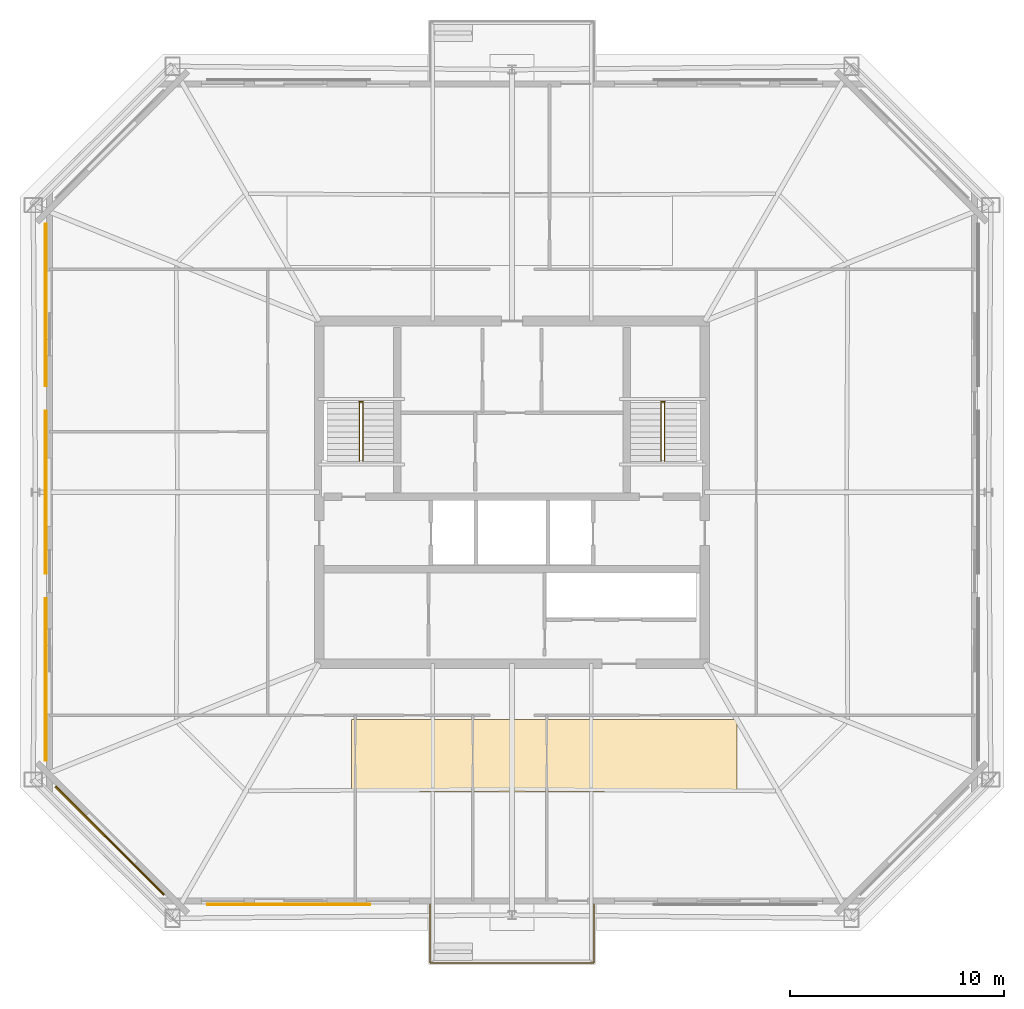
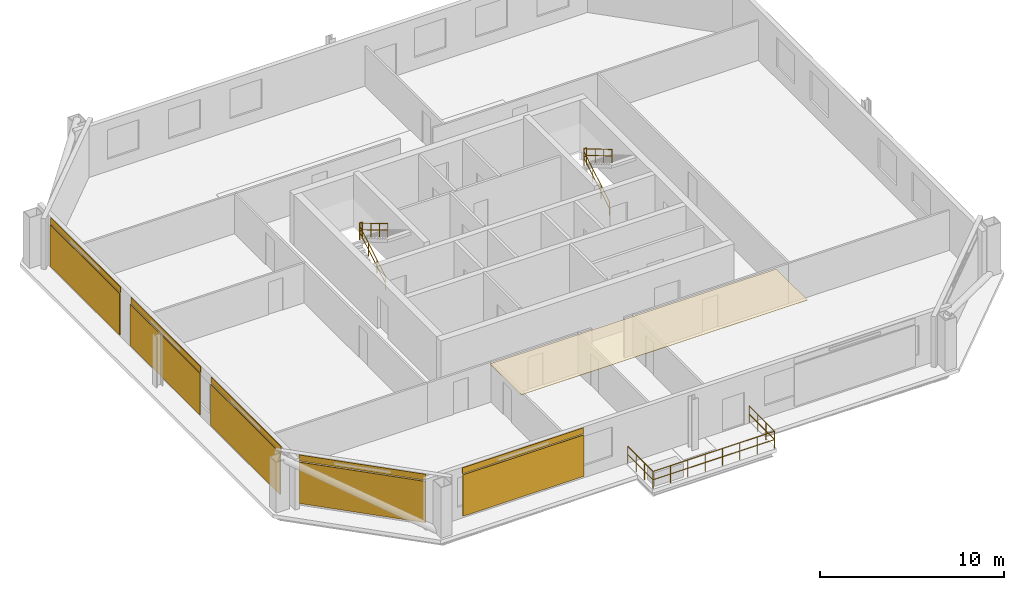
# One storey, part 6 of 7: 7 railings, 6 coverings, 5 shading devices.
"""IFC4 building model written with IfcOpenShell, lengths in metres."""

from ifc_helpers import new_model, si_unit, direction, frame, origin, origin_2d, place, context, subcontext, project, spatial, polyline, rectangle, circle, outline, extrude, material, layer, layer_set, type_object, element, save


model = new_model("IFC4")

# Units and contexts
model_context = context("Model", 3, precision=1e-05, world=origin(), true_north=direction((0.0, 1.0)))
body_context = subcontext(model_context, "Body", "Model", "MODEL_VIEW")
ifc_project = project(units=[si_unit("LENGTHUNIT", "METRE"), si_unit("AREAUNIT", "SQUARE_METRE"), si_unit("VOLUMEUNIT", "CUBIC_METRE"), si_unit("PLANEANGLEUNIT", "RADIAN"), si_unit("MASSUNIT", "GRAM", prefix="KILO")], contexts=[model_context])

# Site, building, storey
site_placement = place(None, origin())
site = spatial("IfcSite", under=ifc_project, at=site_placement, CompositionType="ELEMENT")
building_placement = place(site_placement, origin())
building = spatial("IfcBuilding", under=site, at=building_placement, Name="Caelvoria Tower", CompositionType="ELEMENT")
storey_placement = place(building_placement, frame((0.0, 0.0, 187.800048828125)))
storey = spatial("IfcBuildingStorey", under=building, at=storey_placement, Name="L49", CompositionType="ELEMENT", Elevation=187.800048828125)

# Railing
ifc_material_1 = material(Name="Bronze Anodised Aluminium and Stainless Steel", Category="steel")
railing_type_1 = type_object("IfcRailingType", Name="Exterior Terrace and Balcony Guardrail 1150", PredefinedType="GUARDRAIL", material=ifc_material_1)
railing_1_placement = place(storey_placement, frame((42.179931640625, 12.780029296875, 0.0)))
element("IfcRailing", 1, at=railing_1_placement, inside=storey, type_object=railing_type_1, Name="Tree Balcony Guardrail TB-L49-S", PredefinedType="GUARDRAIL", context=body_context, shape_type="SweptSolid", body=[
    extrude(circle(Radius=0.02392578125, at=origin_2d()), frame((0.0, 0.0, 1.1259765625), z_axis=(0.0, -1.0, 0.0), x_axis=(1.0, 0.0, 0.0)), (0.0, 0.0, 1.0), 2.760009765625),
    extrude(circle(Radius=0.02392578125, at=origin_2d()), frame((0.0, 0.0, 0.574951171875), z_axis=(0.0, -1.0, 0.0), x_axis=(1.0, 0.0, 0.0)), (0.0, 0.0, 1.0), 2.760009765625),
    extrude(circle(Radius=0.02392578125, at=origin_2d()), frame((0.0, -2.760009765625, 1.1259765625), z_axis=(1.0, 0.0, 0.0), x_axis=(0.0, 1.0, 0.0)), (0.0, 0.0, 1.0), 7.64013671875),
    extrude(circle(Radius=0.02392578125, at=origin_2d()), frame((0.0, -2.760009765625, 0.574951171875), z_axis=(1.0, 0.0, 0.0), x_axis=(0.0, 1.0, 0.0)), (0.0, 0.0, 1.0), 7.64013671875),
    extrude(circle(Radius=0.02392578125, at=origin_2d()), frame((7.64013671875, -2.760009765625, 1.1259765625), z_axis=(0.0, 1.0, 0.0), x_axis=(-1.0, 0.0, 0.0)), (0.0, 0.0, 1.0), 2.760009765625),
    extrude(circle(Radius=0.02392578125, at=origin_2d()), frame((7.64013671875, -2.760009765625, 0.574951171875), z_axis=(0.0, 1.0, 0.0), x_axis=(-1.0, 0.0, 0.0)), (0.0, 0.0, 1.0), 2.760009765625),
    extrude(circle(Radius=0.02099609375, at=origin_2d()), origin(), (0.0, 0.0, 1.0), 1.101806640625),
    extrude(circle(Radius=0.02099609375, at=origin_2d()), frame((0.0, -0.919921875, 0.0)), (0.0, 0.0, 1.0), 1.101806640625),
    extrude(circle(Radius=0.02099609375, at=origin_2d()), frame((0.0, -1.840087890625, 0.0)), (0.0, 0.0, 1.0), 1.101806640625),
    extrude(circle(Radius=0.02099609375, at=origin_2d()), frame((0.0, -2.760009765625, 0.0)), (0.0, 0.0, 1.0), 1.101806640625),
    extrude(circle(Radius=0.02099609375, at=origin_2d()), frame((1.091552734375, -2.760009765625, 0.0)), (0.0, 0.0, 1.0), 1.101806640625),
    extrude(circle(Radius=0.02099609375, at=origin_2d()), frame((2.182861328125, -2.760009765625, 0.0)), (0.0, 0.0, 1.0), 1.101806640625),
    extrude(circle(Radius=0.02099609375, at=origin_2d()), frame((3.2744140625, -2.760009765625, 0.0)), (0.0, 0.0, 1.0), 1.101806640625),
    extrude(circle(Radius=0.02099609375, at=origin_2d()), frame((4.36572265625, -2.760009765625, 0.0)), (0.0, 0.0, 1.0), 1.101806640625),
    extrude(circle(Radius=0.02099609375, at=origin_2d()), frame((5.457275390625, -2.760009765625, 0.0)), (0.0, 0.0, 1.0), 1.101806640625),
    extrude(circle(Radius=0.02099609375, at=origin_2d()), frame((6.548583984375, -2.760009765625, 0.0)), (0.0, 0.0, 1.0), 1.101806640625),
    extrude(circle(Radius=0.02099609375, at=origin_2d()), frame((7.64013671875, -2.760009765625, 0.0)), (0.0, 0.0, 1.0), 1.101806640625),
    extrude(circle(Radius=0.02099609375, at=origin_2d()), frame((7.64013671875, -1.840087890625, 0.0)), (0.0, 0.0, 1.0), 1.101806640625),
    extrude(circle(Radius=0.02099609375, at=origin_2d()), frame((7.64013671875, -0.919921875, 0.0)), (0.0, 0.0, 1.0), 1.101806640625),
    extrude(circle(Radius=0.02099609375, at=origin_2d()), frame((7.64013671875, 0.0, 0.0)), (0.0, 0.0, 1.0), 1.101806640625),
])

# Coverings
ifc_material_2 = material(Name="Acoustic Mineral Fibre Tile", Category="gypsum")
ifc_layer_1 = layer(ifc_material_2, 0.02490234375, Name="Acoustic Mineral Fibre Tile")
ifc_layer_set_1 = layer_set([ifc_layer_1], Name="Mineral-Fibre Acoustic Suspended Ceiling 25 - Acoustic Mineral Fibre Tile")
covering_type_1 = type_object("IfcCoveringType", Name="Mineral-Fibre Acoustic Suspended Ceiling 25", PredefinedType="CEILING", material=ifc_layer_set_1)
covering_1_placement = place(storey_placement, frame((0.0, 0.0, 2.64990234375)))
element("IfcCovering", 2, at=covering_1_placement, inside=storey, type_object=covering_type_1, Name="Suspended Acoustic Ceiling L49", PredefinedType="CEILING", context=body_context, shape_type="SweptSolid", body=[
    extrude(outline(polyline([(38.5, 18.0), (56.5, 18.0), (56.5, 21.39990234375), (38.5, 21.39990234375), (38.5, 18.0)])), origin(), (0.0, 0.0, 1.0), 0.025146484375),
])
ifc_material_3 = material(Name="Perforated Architectural Bronze Cladding Screen", Category="bronze")
ifc_layer_2 = layer(ifc_material_3, 0.0400390625, Name="Perforated Architectural Bronze Cladding Screen")
ifc_layer_set_2 = layer_set([ifc_layer_2], Name="Perforated Bronze Louvre Cladding Band 40 - Perforated Architectural Bronze Cladding Screen")
covering_type_2 = type_object("IfcCoveringType", Name="Perforated Bronze Louvre Cladding Band 40", PredefinedType="CLADDING", material=ifc_layer_set_2)
for number, where, z_axis, x_axis, name in (
    (3, (35.5732421875, 12.76806640625, 2.955078125), (0.0, 0.0, 1.0), (1.0, 0.0, 0.0), "Perforated Bronze Screen Band L49-E0-00"),
    (4, (24.248046875, 40.74658203125, 2.955078125), (0.0, 0.0, 1.0), (0.0, -1.0, 0.0), "Perforated Bronze Screen Band L49-E6-00"),
    (5, (24.248046875, 32.0, 2.955078125), (0.0, 0.0, 1.0), (0.0, -1.0, 0.0), "Perforated Bronze Screen Band L49-E6-01"),
    (6, (24.248046875, 23.25341796875, 2.955078125), (0.0, 0.0, 1.0), (0.0, -1.0, 0.0), "Perforated Bronze Screen Band L49-E6-02"),
):
    element("IfcCovering", number, at=place(storey_placement, frame(where, z_axis=z_axis, x_axis=x_axis)), inside=storey, type_object=covering_type_2, Name=name, PredefinedType="CLADDING", context=body_context, shape_type="SweptSolid", body=[
        extrude(rectangle(XDim=7.60009765625, YDim=0.0400390625, at=origin_2d()), origin(), (0.0, 0.0, 1.0), 0.39990234375),
    ])
covering_2_placement = place(storey_placement, frame((27.228271484375, 15.748291015625, 2.955078125), z_axis=(0.0, 0.0, 1.0), x_axis=(0.707106781187, -0.707106781187, 0.0)))
element("IfcCovering", 7, at=covering_2_placement, inside=storey, type_object=covering_type_2, Name="Perforated Bronze Screen Band L49-E7-00", PredefinedType="CLADDING", context=body_context, shape_type="SweptSolid", body=[
    extrude(rectangle(XDim=7.151611328125, YDim=0.0400390625, at=origin_2d()), origin(), (0.0, 0.0, 1.0), 0.39990234375),
])

# Shading devices
ifc_material_4 = material(Name="Perforated Architectural Bronze Alloy Panel", Category="bronze")
ifc_layer_3 = layer(ifc_material_4, 0.044921875, Name="Perforated Architectural Bronze Alloy Panel")
ifc_layer_set_3 = layer_set([ifc_layer_3], Name="Perforated Bronze Solar Screen Panel SCREEN - Perforated Architectural Bronze Alloy Panel")
shading_device_type = type_object("IfcShadingDeviceType", Name="Perforated Bronze Solar Screen Panel SCREEN", PredefinedType="USERDEFINED", material=ifc_layer_set_3)
for number, where, z_axis, x_axis, name in (
    (8, (35.5732421875, 12.72509765625, 0.159912109375), (0.0, 0.0, 1.0), (1.0, 0.0, 0.0), "Perforated Bronze Solar Screen L49-E0-00"),
    (9, (24.205078125, 40.74658203125, 0.159912109375), (0.0, 0.0, 1.0), (0.0, -1.0, 0.0), "Perforated Bronze Solar Screen L49-E6-00"),
    (10, (24.205078125, 32.0, 0.159912109375), (0.0, 0.0, 1.0), (0.0, -1.0, 0.0), "Perforated Bronze Solar Screen L49-E6-01"),
    (11, (24.205078125, 23.25341796875, 0.159912109375), (0.0, 0.0, 1.0), (0.0, -1.0, 0.0), "Perforated Bronze Solar Screen L49-E6-02"),
):
    element("IfcShadingDevice", number, at=place(storey_placement, frame(where, z_axis=z_axis, x_axis=x_axis)), inside=storey, type_object=shading_device_type, Name=name, ObjectType="SCREEN", PredefinedType="USERDEFINED", context=body_context, shape_type="SweptSolid", body=[
        extrude(rectangle(XDim=7.60009765625, YDim=0.044921875, at=origin_2d()), origin(), (0.0, 0.0, 1.0), 2.75),
    ])
shading_device_placement = place(storey_placement, frame((27.197998046875, 15.718017578125, 0.159912109375), z_axis=(0.0, 0.0, 1.0), x_axis=(0.707106781187, -0.707106781187, 0.0)))
element("IfcShadingDevice", 12, at=shading_device_placement, inside=storey, type_object=shading_device_type, Name="Perforated Bronze Solar Screen L49-E7-00", ObjectType="SCREEN", PredefinedType="USERDEFINED", context=body_context, shape_type="SweptSolid", body=[
    extrude(rectangle(XDim=7.151611328125, YDim=0.044921875, at=origin_2d()), origin(), (0.0, 0.0, 1.0), 2.75),
])

# Railings
ifc_material_5 = material(Name="Brushed Stainless Steel Tube", Category="steel")
railing_type_2 = type_object("IfcRailingType", Name="Stair Tubular Stainless Handrail 920", PredefinedType="HANDRAIL", material=ifc_material_5)
railing_2_placement = place(storey_placement, frame((38.8701171875, 33.449951171875, 0.16357421875)))
element("IfcRailing", 13, at=railing_2_placement, inside=storey, type_object=railing_type_2, Name="ST-01 Flight 1 Handrail L49", PredefinedType="HANDRAIL", context=body_context, shape_type="SweptSolid", body=[
    extrude(circle(Radius=0.02392578125, at=origin_2d()), frame((0.0, 0.0, 0.89599609375), z_axis=(0.0, 0.859351957796, 0.511384603436), x_axis=(-1.0, 0.0, 0.0)), (0.0, 0.0, 1.0), 3.2001953125),
    extrude(circle(Radius=0.02392578125, at=origin_2d()), frame((0.0, 0.0, 0.4599609375), z_axis=(0.0, 0.859351957796, 0.511384603436), x_axis=(-1.0, 0.0, 0.0)), (0.0, 0.0, 1.0), 3.2001953125),
    extrude(circle(Radius=0.02099609375, at=origin_2d()), origin(), (0.0, 0.0, 1.0), 0.871826171875),
    extrude(circle(Radius=0.02099609375, at=origin_2d()), frame((0.0, 0.916748046875, 0.54541015625)), (0.0, 0.0, 1.0), 0.871826171875),
    extrude(circle(Radius=0.02099609375, at=origin_2d()), frame((0.0, 1.833251953125, 1.091064453125)), (0.0, 0.0, 1.0), 0.871826171875),
    extrude(circle(Radius=0.02099609375, at=origin_2d()), frame((0.0, 2.75, 1.636474609375)), (0.0, 0.0, 1.0), 0.871826171875),
])
railing_3_placement = place(storey_placement, frame((39.030029296875, 36.199951171875, 1.963623046875)))
element("IfcRailing", 14, at=railing_3_placement, inside=storey, type_object=railing_type_2, Name="ST-01 Flight 2 Handrail L49", PredefinedType="HANDRAIL", context=body_context, shape_type="SweptSolid", body=[
    extrude(circle(Radius=0.02392578125, at=origin_2d()), frame((0.0, 0.0, 0.89599609375), z_axis=(0.0, -0.859385484447, 0.511328259656), x_axis=(1.0, 0.0, 0.0)), (0.0, 0.0, 1.0), 3.199951171875),
    extrude(circle(Radius=0.02392578125, at=origin_2d()), frame((0.0, 0.0, 0.4599609375), z_axis=(0.0, -0.859385484447, 0.511328259656), x_axis=(1.0, 0.0, 0.0)), (0.0, 0.0, 1.0), 3.199951171875),
    extrude(circle(Radius=0.02099609375, at=origin_2d()), origin(), (0.0, 0.0, 1.0), 0.871826171875),
    extrude(circle(Radius=0.02099609375, at=origin_2d()), frame((0.0, -0.916748046875, 0.54541015625)), (0.0, 0.0, 1.0), 0.871826171875),
    extrude(circle(Radius=0.02099609375, at=origin_2d()), frame((0.0, -1.833251953125, 1.0908203125)), (0.0, 0.0, 1.0), 0.871826171875),
    extrude(circle(Radius=0.02099609375, at=origin_2d()), frame((0.0, -2.75, 1.63623046875)), (0.0, 0.0, 1.0), 0.871826171875),
])
railing_4_placement = place(storey_placement, frame((52.969970703125, 33.449951171875, 0.16357421875)))
element("IfcRailing", 15, at=railing_4_placement, inside=storey, type_object=railing_type_2, Name="ST-02 Flight 1 Handrail L49", PredefinedType="HANDRAIL", context=body_context, shape_type="SweptSolid", body=[
    extrude(circle(Radius=0.02392578125, at=origin_2d()), frame((0.0, 0.0, 0.89599609375), z_axis=(0.0, 0.859351957796, 0.511384603436), x_axis=(-1.0, 0.0, 0.0)), (0.0, 0.0, 1.0), 3.2001953125),
    extrude(circle(Radius=0.02392578125, at=origin_2d()), frame((0.0, 0.0, 0.4599609375), z_axis=(0.0, 0.859351957796, 0.511384603436), x_axis=(-1.0, 0.0, 0.0)), (0.0, 0.0, 1.0), 3.2001953125),
    extrude(circle(Radius=0.02099609375, at=origin_2d()), origin(), (0.0, 0.0, 1.0), 0.871826171875),
    extrude(circle(Radius=0.02099609375, at=origin_2d()), frame((0.0, 0.916748046875, 0.54541015625)), (0.0, 0.0, 1.0), 0.871826171875),
    extrude(circle(Radius=0.02099609375, at=origin_2d()), frame((0.0, 1.833251953125, 1.091064453125)), (0.0, 0.0, 1.0), 0.871826171875),
    extrude(circle(Radius=0.02099609375, at=origin_2d()), frame((0.0, 2.75, 1.636474609375)), (0.0, 0.0, 1.0), 0.871826171875),
])
railing_5_placement = place(storey_placement, frame((53.1298828125, 36.199951171875, 1.963623046875)))
element("IfcRailing", 16, at=railing_5_placement, inside=storey, type_object=railing_type_2, Name="ST-02 Flight 2 Handrail L49", PredefinedType="HANDRAIL", context=body_context, shape_type="SweptSolid", body=[
    extrude(circle(Radius=0.02392578125, at=origin_2d()), frame((0.0, 0.0, 0.89599609375), z_axis=(0.0, -0.859385484447, 0.511328259656), x_axis=(1.0, 0.0, 0.0)), (0.0, 0.0, 1.0), 3.199951171875),
    extrude(circle(Radius=0.02392578125, at=origin_2d()), frame((0.0, 0.0, 0.4599609375), z_axis=(0.0, -0.859385484447, 0.511328259656), x_axis=(1.0, 0.0, 0.0)), (0.0, 0.0, 1.0), 3.199951171875),
    extrude(circle(Radius=0.02099609375, at=origin_2d()), origin(), (0.0, 0.0, 1.0), 0.871826171875),
    extrude(circle(Radius=0.02099609375, at=origin_2d()), frame((0.0, -0.916748046875, 0.54541015625)), (0.0, 0.0, 1.0), 0.871826171875),
    extrude(circle(Radius=0.02099609375, at=origin_2d()), frame((0.0, -1.833251953125, 1.0908203125)), (0.0, 0.0, 1.0), 0.871826171875),
    extrude(circle(Radius=0.02099609375, at=origin_2d()), frame((0.0, -2.75, 1.63623046875)), (0.0, 0.0, 1.0), 0.871826171875),
])
ifc_material_6 = material(Name="Brushed Stainless Steel Guardrail", Category="steel")
railing_type_3 = type_object("IfcRailingType", Name="Stair Well and Ramp Guardrail 1120", PredefinedType="GUARDRAIL", material=ifc_material_6)
for number, where, name in (
    (17, (38.8701171875, 36.239990234375, 1.800048828125), "ST-01 Half-Landing Well Guard L49"),
    (18, (52.969970703125, 36.239990234375, 1.800048828125), "ST-02 Half-Landing Well Guard L49"),
):
    element("IfcRailing", number, at=place(storey_placement, frame(where)), inside=storey, type_object=railing_type_3, Name=name, PredefinedType="GUARDRAIL", context=body_context, shape_type="SweptSolid", body=[
        extrude(circle(Radius=0.02392578125, at=origin_2d()), frame((0.0, 0.0, 1.09619140625), z_axis=(1.0, 0.0, 0.0), x_axis=(0.0, 1.0, 0.0)), (0.0, 0.0, 1.0), 0.159912109375),
        extrude(circle(Radius=0.02392578125, at=origin_2d()), frame((0.0, 0.0, 0.56005859375), z_axis=(1.0, 0.0, 0.0), x_axis=(0.0, 1.0, 0.0)), (0.0, 0.0, 1.0), 0.159912109375),
        extrude(circle(Radius=0.02099609375, at=origin_2d()), origin(), (0.0, 0.0, 1.0), 1.072021484375),
        extrude(circle(Radius=0.02099609375, at=origin_2d()), frame((0.159912109375, 0.0, 0.0)), (0.0, 0.0, 1.0), 1.072021484375),
    ])

save(model, "model.ifc")
